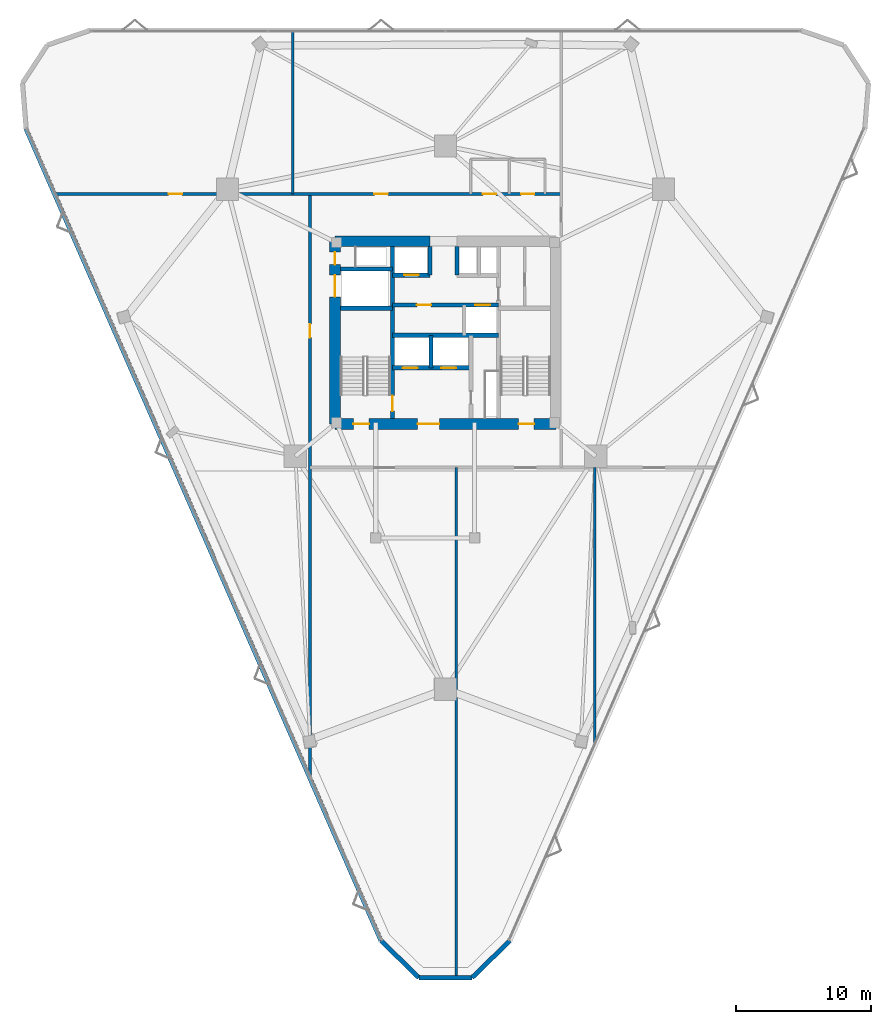
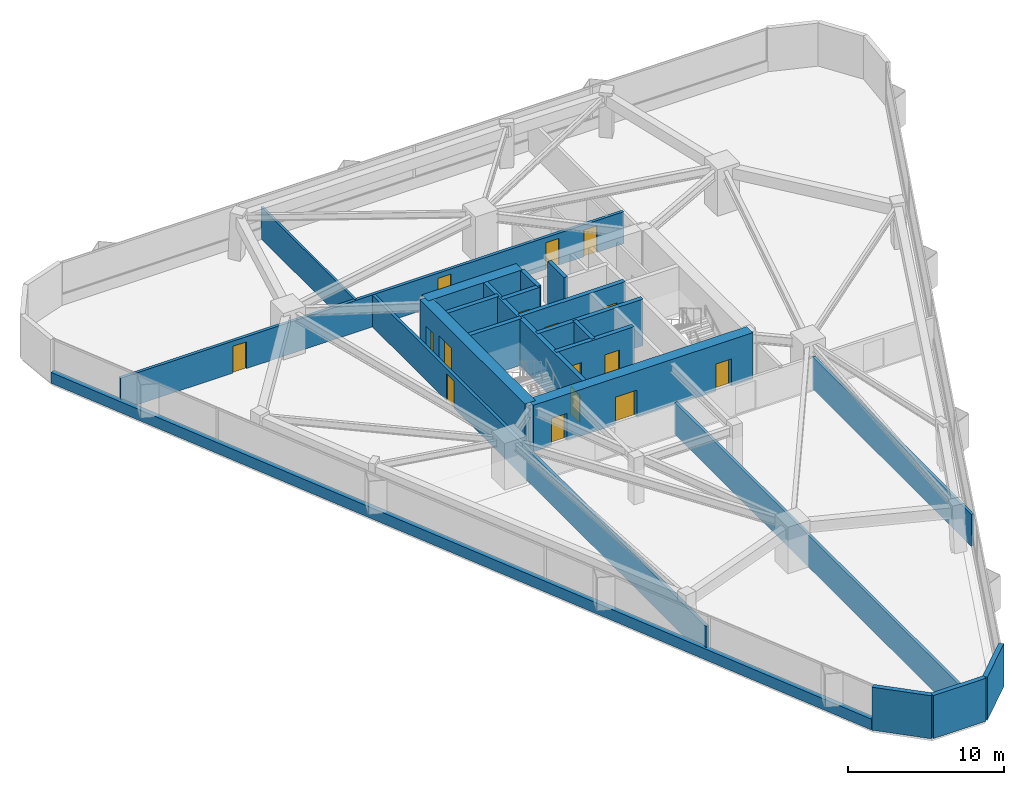
# One storey, part 14 of 18: 22 walls, 16 doors, 16 openings.
"""IFC4 building model written with IfcOpenShell, lengths in metres."""

from ifc_helpers import new_model, si_unit, direction, frame, frame_2d, origin, place, context, subcontext, project, spatial, rectangle, extrude, material, layer, layer_set, type_object, element, fill, save


model = new_model("IFC4")

# Units and contexts
model_context = context("Model", 3, precision=1e-05, world=origin(), true_north=direction((0.0, 1.0)))
body_context = subcontext(model_context, "Body", "Model", "MODEL_VIEW")
ifc_project = project(units=[si_unit("LENGTHUNIT", "METRE"), si_unit("AREAUNIT", "SQUARE_METRE"), si_unit("VOLUMEUNIT", "CUBIC_METRE"), si_unit("PLANEANGLEUNIT", "RADIAN"), si_unit("MASSUNIT", "GRAM", prefix="KILO")], contexts=[model_context])

# Site, building, storey
site_placement = place(None, origin())
site = spatial("IfcSite", under=ifc_project, at=site_placement, CompositionType="ELEMENT")
building_placement = place(site_placement, origin())
building = spatial("IfcBuilding", under=site, at=building_placement, Name="Talyreon Biosciences Tower", CompositionType="ELEMENT")
storey_placement = place(building_placement, frame((0.0, 0.0, 89.60009765625)))
storey = spatial("IfcBuildingStorey", under=building, at=storey_placement, Name="L23", CompositionType="ELEMENT", Elevation=89.60009765625)

# Walls
ifc_material_1 = material(Name="Gypsum fireboard acoustic stud", Category="gypsum")
ifc_layer_1 = layer(ifc_material_1, 0.199951171875)
ifc_layer_set_1 = layer_set([ifc_layer_1], Name="Gypsum fireboard acoustic stud")
wall_type_1 = type_object("IfcWallType", Name="ChemControlPartition_200", PredefinedType="PARTITIONING", material=ifc_layer_set_1)
wall_1_placement = place(storey_placement, frame((66.800048828125, 20.4423828125, 0.0), z_axis=(0.0, 0.0, 1.0), x_axis=(0.0, 1.0, 0.0)))
element("IfcWall", 1, at=wall_1_placement, inside=storey, type_object=wall_type_1, Name="L23 Interior Wall IW-L23-SDIV1", PredefinedType="PARTITIONING", context=body_context, shape_type="SweptSolid", body=[
    extrude(rectangle(XDim=37.587646484375, YDim=0.199951171875, at=frame_2d((18.7939453125, 0.0))), origin(), (0.0, 0.0, 1.0), 2.5048828125),
])
wall_2_placement = place(storey_placement, frame((77.02294921875, 37.620361328125, 0.0), z_axis=(0.0, 0.0, 1.0), x_axis=(0.0, 1.0, 0.0)))
element("IfcWall", 2, at=wall_2_placement, inside=storey, type_object=wall_type_1, Name="L23 Interior Wall IW-L23-SDIV2", PredefinedType="PARTITIONING", context=body_context, shape_type="SweptSolid", body=[
    extrude(rectangle(XDim=20.40966796875, YDim=0.199951171875, at=frame_2d((10.204833984375, 0.0))), origin(), (0.0, 0.0, 1.0), 2.5048828125),
])
ifc_material_2 = material(Name="Concrete C50/60", Category="concrete")
ifc_layer_2 = layer(ifc_material_2, 0.280029296875)
ifc_layer_set_2 = layer_set([ifc_layer_2], Name="Concrete C50/60")
wall_type_2 = type_object("IfcWallType", Name="CoreShearWall_280", PredefinedType="SHEAR", material=ifc_layer_set_2)
wall_3_placement = place(storey_placement, frame((64.919921875, 65.39990234375, 0.0), z_axis=(0.0, 0.0, 1.0), x_axis=(0.0, 1.0, 0.0)))
element("IfcWall", 3, at=wall_3_placement, inside=storey, type_object=wall_type_2, Name="L23 Core Shaft Wall SWSHD1", PredefinedType="SHEAR", context=body_context, shape_type="SweptSolid", body=[
    extrude(rectangle(XDim=2.400146484375, YDim=0.280029296875, at=frame_2d((1.2001953125, 0.0))), origin(), (0.0, 0.0, 1.0), 3.64990234375),
])
for number, where, z_axis, x_axis, name in (
    (4, (64.85009765625, 72.25, 0.0), (0.0, 0.0, 1.0), (0.0, 1.0, 0.0), "L23 Core Shaft Wall SWTHW"),
    (5, (66.85009765625, 72.25, 0.0), (0.0, 0.0, 1.0), (0.0, 1.0, 0.0), "L23 Core Shaft Wall SWTHE"),
):
    element("IfcWall", number, at=place(storey_placement, frame(where, z_axis=z_axis, x_axis=x_axis)), inside=storey, type_object=wall_type_2, Name=name, PredefinedType="SHEAR", context=body_context, shape_type="SweptSolid", body=[
        extrude(rectangle(XDim=2.10009765625, YDim=0.280029296875, at=frame_2d((1.050048828125, 0.0))), origin(), (0.0, 0.0, 1.0), 3.64990234375),
    ])

# Wall, opening, door
ifc_layer_3 = layer(ifc_material_2, 0.320068359375)
ifc_layer_set_3 = layer_set([ifc_layer_3], Name="Concrete C50/60")
wall_type_3 = type_object("IfcWallType", Name="CoreShearWall_320", PredefinedType="SHEAR", material=ifc_layer_set_3)
wall_4_placement = place(storey_placement, frame((62.090087890625, 61.64990234375, 0.0), z_axis=(0.0, 0.0, 1.0), x_axis=(0.0, 1.0, 0.0)))
wall_4 = element("IfcWall", 6, at=wall_4_placement, inside=storey, type_object=wall_type_3, Name="L23 Core Shaft Wall SW1E", PredefinedType="SHEAR", context=body_context, shape_type="SweptSolid", body=[
    extrude(rectangle(XDim=12.7001953125, YDim=0.320068359375, at=frame_2d((6.35009765625, 0.0))), origin(), (0.0, 0.0, 1.0), 3.64990234375),
])
opening_1_placement = place(wall_4_placement, frame((0.550048828125, 0.0, 0.0)))
opening_1 = element("IfcOpeningElement", 7, at=opening_1_placement, cuts=wall_4, Name="Opening DR-L23-FF-ST1", PredefinedType="OPENING", context=body_context, shape_type="SweptSolid", body=[
    extrude(rectangle(XDim=1.14990234375, YDim=2.14990234375, at=frame_2d((0.574951171875, 1.074951171875))), frame((0.0, 0.169921875, 0.0), z_axis=(0.0, -1.0, 0.0), x_axis=(1.0, 0.0, 0.0)), (0.0, 0.0, 1.0), 0.340087890625),
])
ifc_material_3 = material(Name="Painted steel fire door", Category="steel")
door_type_1 = type_object("IfcDoorType", Name="StairShaftFireDoor_1150x2150", OperationType="NOTDEFINED", PredefinedType="DOOR", material=ifc_material_3)
door_1_placement = place(opening_1_placement, origin())
door_1 = element("IfcDoor", 8, at=door_1_placement, inside=storey, type_object=door_type_1, Name="L23 Core Door DR-L23-FF-ST1", OperationType="SINGLE_SWING_LEFT", OverallHeight=2.14990234375, OverallWidth=1.14990234375, PredefinedType="DOOR", context=body_context, shape_type="SweptSolid", body=[
    extrude(rectangle(XDim=1.14990234375, YDim=2.14990234375, at=frame_2d((0.574951171875, 1.074951171875))), frame((0.0, 0.02490234375, 0.0), z_axis=(0.0, -1.0, 0.0), x_axis=(1.0, 0.0, 0.0)), (0.0, 0.0, 1.0), 0.050048828125),
])
fill(opening_1, door_1)

# Walls
for number, where, z_axis, x_axis, name in (
    (9, (58.25, 69.81005859375, 0.0), (0.0, 0.0, 1.0), (1.0, 0.0, 0.0), "L23 Core Shaft Wall SW1N"),
    (10, (58.25, 72.699951171875, 0.0), (0.0, 0.0, 1.0), (1.0, 0.0, 0.0), "L23 Core Shaft Wall SWGLN"),
):
    element("IfcWall", number, at=place(storey_placement, frame(where, z_axis=z_axis, x_axis=x_axis)), inside=storey, type_object=wall_type_3, Name=name, PredefinedType="SHEAR", context=body_context, shape_type="SweptSolid", body=[
        extrude(rectangle(XDim=3.840087890625, YDim=0.320068359375, at=frame_2d((1.919921875, 0.0))), origin(), (0.0, 0.0, 1.0), 3.64990234375),
    ])
wall_5_placement = place(storey_placement, frame((62.090087890625, 67.800048828125, 0.0), z_axis=(0.0, 0.0, 1.0), x_axis=(1.0, 0.0, 0.0)))
element("IfcWall", 11, at=wall_5_placement, inside=storey, type_object=wall_type_3, Name="L23 Core Shaft Wall SWSHM", PredefinedType="SHEAR", context=body_context, shape_type="SweptSolid", body=[
    extrude(rectangle(XDim=7.81982421875, YDim=0.320068359375, at=frame_2d((3.909912109375, 0.0))), origin(), (0.0, 0.0, 1.0), 3.64990234375),
])

# Wall, openings, doors
wall_6_placement = place(storey_placement, frame((62.090087890625, 70.050048828125, 0.0), z_axis=(0.0, 0.0, 1.0), x_axis=(1.0, 0.0, 0.0)))
wall_6 = element("IfcWall", 12, at=wall_6_placement, inside=storey, type_object=wall_type_3, Name="L23 Core Shaft Wall SWSPN", PredefinedType="SHEAR", context=body_context, shape_type="SweptSolid", body=[
    extrude(rectangle(XDim=7.81982421875, YDim=0.320068359375, at=frame_2d((3.909912109375, 0.0))), origin(), (0.0, 0.0, 1.0), 3.64990234375),
])
opening_2_placement = place(wall_6_placement, frame((1.800048828125, 0.0, 0.0)))
opening_2 = element("IfcOpeningElement", 13, at=opening_2_placement, cuts=wall_6, Name="Opening DR-L23-PLFREE-A", PredefinedType="OPENING", context=body_context, shape_type="SweptSolid", body=[
    extrude(rectangle(XDim=1.050048828125, YDim=2.14990234375, at=frame_2d((0.52490234375, 1.074951171875))), frame((0.0, 0.169921875, 0.0), z_axis=(0.0, -1.0, 0.0), x_axis=(1.0, 0.0, 0.0)), (0.0, 0.0, 1.0), 0.340087890625),
])
opening_3_placement = place(wall_6_placement, frame((6.10009765625, 0.0, 0.0)))
opening_3 = element("IfcOpeningElement", 14, at=opening_3_placement, cuts=wall_6, Name="Opening LD-L23-PM1", PredefinedType="OPENING", context=body_context, shape_type="SweptSolid", body=[
    extrude(rectangle(XDim=1.10009765625, YDim=2.199951171875, at=frame_2d((0.550048828125, 1.10009765625))), frame((0.0, 0.169921875, 0.0), z_axis=(0.0, -1.0, 0.0), x_axis=(1.0, 0.0, 0.0)), (0.0, 0.0, 1.0), 0.340087890625),
])
ifc_material_4 = material(Name="Acoustic timber-core laboratory door", Category="wood")
door_type_2 = type_object("IfcDoorType", Name="DryLabSingleDoor_1050x2150", OperationType="NOTDEFINED", PredefinedType="DOOR", material=ifc_material_4)
door_2_placement = place(opening_2_placement, origin())
door_2 = element("IfcDoor", 15, at=door_2_placement, inside=storey, type_object=door_type_2, Name="L23 Core Door DR-L23-PLFREE-A", OperationType="SINGLE_SWING_LEFT", OverallHeight=2.14990234375, OverallWidth=1.050048828125, PredefinedType="DOOR", context=body_context, shape_type="SweptSolid", body=[
    extrude(rectangle(XDim=1.050048828125, YDim=2.14990234375, at=frame_2d((0.52490234375, 1.074951171875))), frame((0.0, 0.02490234375, 0.0), z_axis=(0.0, -1.0, 0.0), x_axis=(1.0, 0.0, 0.0)), (0.0, 0.0, 1.0), 0.050048828125),
])
fill(opening_2, door_2)
ifc_material_5 = material(Name="Brushed stainless-steel lift landing door", Category="steel")
door_type_3 = type_object("IfcDoorType", Name="LiftSlidingLandingDoor_1100x2200", OperationType="SLIDING_TO_LEFT", PredefinedType="DOOR", material=ifc_material_5)
door_3_placement = place(opening_3_placement, origin())
door_3 = element("IfcDoor", 16, at=door_3_placement, inside=storey, type_object=door_type_3, Name="L23 Core Door LD-L23-PM1", OperationType="SLIDING_TO_LEFT", OverallHeight=2.199951171875, OverallWidth=1.10009765625, PredefinedType="DOOR", context=body_context, shape_type="SweptSolid", body=[
    extrude(rectangle(XDim=1.10009765625, YDim=2.199951171875, at=frame_2d((0.550048828125, 1.10009765625))), frame((0.0, 0.02490234375, 0.0), z_axis=(0.0, -1.0, 0.0), x_axis=(1.0, 0.0, 0.0)), (0.0, 0.0, 1.0), 0.050048828125),
])
fill(opening_3, door_3)

# Wall, opening, door
wall_7_placement = place(storey_placement, frame((62.090087890625, 72.25, 0.0), z_axis=(0.0, 0.0, 1.0), x_axis=(1.0, 0.0, 0.0)))
wall_7 = element("IfcWall", 17, at=wall_7_placement, inside=storey, type_object=wall_type_3, Name="L23 Core Shaft Wall SWNPW", PredefinedType="SHEAR", context=body_context, shape_type="SweptSolid", body=[
    extrude(rectangle(XDim=2.760009765625, YDim=0.320068359375, at=frame_2d((1.3798828125, 0.0))), origin(), (0.0, 0.0, 1.0), 3.64990234375),
])
opening_4_placement = place(wall_7_placement, frame((0.85009765625, 0.0, 0.0)))
opening_4 = element("IfcOpeningElement", 18, at=opening_4_placement, cuts=wall_7, Name="Opening LD-L23-PM2", PredefinedType="OPENING", context=body_context, shape_type="SweptSolid", body=[
    extrude(rectangle(XDim=1.10009765625, YDim=2.199951171875, at=frame_2d((0.550048828125, 1.10009765625))), frame((0.0, 0.169921875, 0.0), z_axis=(0.0, -1.0, 0.0), x_axis=(1.0, 0.0, 0.0)), (0.0, 0.0, 1.0), 0.340087890625),
])
door_4_placement = place(opening_4_placement, origin())
door_4 = element("IfcDoor", 19, at=door_4_placement, inside=storey, type_object=door_type_3, Name="L23 Core Door LD-L23-PM2", OperationType="SLIDING_TO_LEFT", OverallHeight=2.199951171875, OverallWidth=1.10009765625, PredefinedType="DOOR", context=body_context, shape_type="SweptSolid", body=[
    extrude(rectangle(XDim=1.10009765625, YDim=2.199951171875, at=frame_2d((0.550048828125, 1.10009765625))), frame((0.0, 0.02490234375, 0.0), z_axis=(0.0, -1.0, 0.0), x_axis=(1.0, 0.0, 0.0)), (0.0, 0.0, 1.0), 0.050048828125),
])
fill(opening_4, door_4)

# Wall, openings, doors
wall_8_placement = place(storey_placement, frame((62.090087890625, 65.39990234375, 0.0), z_axis=(0.0, 0.0, 1.0), x_axis=(1.0, 0.0, 0.0)))
wall_8 = element("IfcWall", 20, at=wall_8_placement, inside=storey, type_object=wall_type_3, Name="L23 Core Shaft Wall SWFFN", PredefinedType="SHEAR", context=body_context, shape_type="SweptSolid", body=[
    extrude(rectangle(XDim=5.789794921875, YDim=0.320068359375, at=frame_2d((2.89501953125, 0.0))), origin(), (0.0, 0.0, 1.0), 3.64990234375),
])
opening_5_placement = place(wall_8_placement, frame((0.75, 0.0, 0.0)))
opening_5 = element("IfcOpeningElement", 21, at=opening_5_placement, cuts=wall_8, Name="Opening LD-L23-FL1", PredefinedType="OPENING", context=body_context, shape_type="SweptSolid", body=[
    extrude(rectangle(XDim=1.10009765625, YDim=2.199951171875, at=frame_2d((0.550048828125, 1.10009765625))), frame((0.0, 0.169921875, 0.0), z_axis=(0.0, -1.0, 0.0), x_axis=(1.0, 0.0, 0.0)), (0.0, 0.0, 1.0), 0.340087890625),
])
opening_6_placement = place(wall_8_placement, frame((3.60009765625, 0.0, 0.0)))
opening_6 = element("IfcOpeningElement", 22, at=opening_6_placement, cuts=wall_8, Name="Opening LD-L23-FL2", PredefinedType="OPENING", context=body_context, shape_type="SweptSolid", body=[
    extrude(rectangle(XDim=1.10009765625, YDim=2.199951171875, at=frame_2d((0.550048828125, 1.10009765625))), frame((0.0, 0.169921875, 0.0), z_axis=(0.0, -1.0, 0.0), x_axis=(1.0, 0.0, 0.0)), (0.0, 0.0, 1.0), 0.340087890625),
])
door_5_placement = place(opening_5_placement, origin())
door_5 = element("IfcDoor", 23, at=door_5_placement, inside=storey, type_object=door_type_3, Name="L23 Core Door LD-L23-FL1", OperationType="SLIDING_TO_LEFT", OverallHeight=2.199951171875, OverallWidth=1.10009765625, PredefinedType="DOOR", context=body_context, shape_type="SweptSolid", body=[
    extrude(rectangle(XDim=1.10009765625, YDim=2.199951171875, at=frame_2d((0.550048828125, 1.10009765625))), frame((0.0, 0.02490234375, 0.0), z_axis=(0.0, -1.0, 0.0), x_axis=(1.0, 0.0, 0.0)), (0.0, 0.0, 1.0), 0.050048828125),
])
fill(opening_5, door_5)
door_6_placement = place(opening_6_placement, origin())
door_6 = element("IfcDoor", 24, at=door_6_placement, inside=storey, type_object=door_type_3, Name="L23 Core Door LD-L23-FL2", OperationType="SLIDING_TO_LEFT", OverallHeight=2.199951171875, OverallWidth=1.10009765625, PredefinedType="DOOR", context=body_context, shape_type="SweptSolid", body=[
    extrude(rectangle(XDim=1.10009765625, YDim=2.199951171875, at=frame_2d((0.550048828125, 1.10009765625))), frame((0.0, 0.02490234375, 0.0), z_axis=(0.0, -1.0, 0.0), x_axis=(1.0, 0.0, 0.0)), (0.0, 0.0, 1.0), 0.050048828125),
])
fill(opening_6, door_6)

ifc_material_6 = material(Name="Concrete C60/75", Category="concrete")
ifc_layer_4 = layer(ifc_material_6, 0.800048828125)
ifc_layer_set_4 = layer_set([ifc_layer_4], Name="Concrete C60/75")
wall_type_4 = type_object("IfcWallType", Name="CoreShearWall_800", PredefinedType="SHEAR", material=ifc_layer_set_4)
wall_9_placement = place(storey_placement, frame((57.85009765625, 61.25, 0.0), z_axis=(0.0, 0.0, 1.0), x_axis=(1.0, 0.0, 0.0)))
wall_9 = element("IfcWall", 25, at=wall_9_placement, inside=storey, type_object=wall_type_4, Name="L23 Core Shear Wall S", PredefinedType="SHEAR", context=body_context, shape_type="SweptSolid", body=[
    extrude(rectangle(XDim=16.2998046875, YDim=0.800048828125, at=frame_2d((8.14990234375, 0.0))), origin(), (0.0, 0.0, 1.0), 3.64990234375),
])
opening_7_placement = place(wall_9_placement, frame((1.35009765625, 0.0, 0.0)))
opening_7 = element("IfcOpeningElement", 26, at=opening_7_placement, cuts=wall_9, Name="Opening DR-L23-ST1", PredefinedType="OPENING", context=body_context, shape_type="SweptSolid", body=[
    extrude(rectangle(XDim=1.14990234375, YDim=2.14990234375, at=frame_2d((0.574951171875, 1.074951171875))), frame((0.0, 0.409912109375, 0.0), z_axis=(0.0, -1.0, 0.0), x_axis=(1.0, 0.0, 0.0)), (0.0, 0.0, 1.0), 0.820068359375),
])
opening_8_placement = place(wall_9_placement, frame((6.10009765625, 0.0, 0.0)))
opening_8 = element("IfcOpeningElement", 27, at=opening_8_placement, cuts=wall_9, Name="Opening DR-L23-FFL", PredefinedType="OPENING", context=body_context, shape_type="SweptSolid", body=[
    extrude(rectangle(XDim=1.60009765625, YDim=2.14990234375, at=frame_2d((0.800048828125, 1.074951171875))), frame((0.0, 0.409912109375, 0.0), z_axis=(0.0, -1.0, 0.0), x_axis=(1.0, 0.0, 0.0)), (0.0, 0.0, 1.0), 0.820068359375),
])
opening_9_placement = place(wall_9_placement, frame((13.550048828125, 0.0, 0.0)))
opening_9 = element("IfcOpeningElement", 28, at=opening_9_placement, cuts=wall_9, Name="Opening DR-L23-ST2", PredefinedType="OPENING", context=body_context, shape_type="SweptSolid", body=[
    extrude(rectangle(XDim=1.14990234375, YDim=2.14990234375, at=frame_2d((0.574951171875, 1.074951171875))), frame((0.0, 0.409912109375, 0.0), z_axis=(0.0, -1.0, 0.0), x_axis=(1.0, 0.0, 0.0)), (0.0, 0.0, 1.0), 0.820068359375),
])
ifc_material_7 = material(Name="Painted steel smoke-seal fire door", Category="steel")
door_type_4 = type_object("IfcDoorType", Name="FirefightingLobbyDoubleDoor_1600x2150", OperationType="DOUBLE_DOOR_SINGLE_SWING", PredefinedType="DOOR", material=ifc_material_7)
door_7_placement = place(opening_8_placement, origin())
door_7 = element("IfcDoor", 29, at=door_7_placement, inside=storey, type_object=door_type_4, Name="L23 Core Door DR-L23-FFL", OperationType="DOUBLE_DOOR_SINGLE_SWING", OverallHeight=2.14990234375, OverallWidth=1.60009765625, PredefinedType="DOOR", context=body_context, shape_type="SweptSolid", body=[
    extrude(rectangle(XDim=1.60009765625, YDim=2.14990234375, at=frame_2d((0.800048828125, 1.074951171875))), frame((0.0, 0.02490234375, 0.0), z_axis=(0.0, -1.0, 0.0), x_axis=(1.0, 0.0, 0.0)), (0.0, 0.0, 1.0), 0.050048828125),
])
fill(opening_8, door_7)
door_8_placement = place(opening_7_placement, origin())
door_8 = element("IfcDoor", 30, at=door_8_placement, inside=storey, type_object=door_type_1, Name="L23 Core Door DR-L23-ST1", OperationType="SINGLE_SWING_LEFT", OverallHeight=2.14990234375, OverallWidth=1.14990234375, PredefinedType="DOOR", context=body_context, shape_type="SweptSolid", body=[
    extrude(rectangle(XDim=1.14990234375, YDim=2.14990234375, at=frame_2d((0.574951171875, 1.074951171875))), frame((0.0, 0.02490234375, 0.0), z_axis=(0.0, -1.0, 0.0), x_axis=(1.0, 0.0, 0.0)), (0.0, 0.0, 1.0), 0.050048828125),
])
fill(opening_7, door_8)
door_9_placement = place(opening_9_placement, origin())
door_9 = element("IfcDoor", 31, at=door_9_placement, inside=storey, type_object=door_type_1, Name="L23 Core Door DR-L23-ST2", OperationType="SINGLE_SWING_RIGHT", OverallHeight=2.14990234375, OverallWidth=1.14990234375, PredefinedType="DOOR", context=body_context, shape_type="SweptSolid", body=[
    extrude(rectangle(XDim=1.14990234375, YDim=2.14990234375, at=frame_2d((0.574951171875, 1.074951171875))), frame((0.0, 0.02490234375, 0.0), z_axis=(0.0, -1.0, 0.0), x_axis=(1.0, 0.0, 0.0)), (0.0, 0.0, 1.0), 0.050048828125),
])
fill(opening_9, door_9)

# Wall
wall_10_placement = place(storey_placement, frame((64.85009765625, 74.75, 0.0), z_axis=(0.0, 0.0, 1.0), x_axis=(-1.0, 0.0, 0.0)))
element("IfcWall", 32, at=wall_10_placement, inside=storey, type_object=wall_type_4, Name="L23 Core Shear Wall NW", PredefinedType="SHEAR", context=body_context, shape_type="SweptSolid", body=[
    extrude(rectangle(XDim=7.0, YDim=0.800048828125, at=frame_2d((3.5, 0.0))), origin(), (0.0, 0.0, 1.0), 3.64990234375),
])

# Wall, openings, doors
wall_11_placement = place(storey_placement, frame((57.85009765625, 74.75, 0.0), z_axis=(0.0, 0.0, 1.0), x_axis=(0.0, -1.0, 0.0)))
wall_11 = element("IfcWall", 33, at=wall_11_placement, inside=storey, type_object=wall_type_4, Name="L23 Core Shear Wall W", PredefinedType="SHEAR", context=body_context, shape_type="SweptSolid", body=[
    extrude(rectangle(XDim=13.5, YDim=0.800048828125, at=frame_2d((6.75, 0.0))), origin(), (0.0, 0.0, 1.0), 3.64990234375),
])
opening_10_placement = place(wall_11_placement, frame((0.800048828125, 0.0, 0.0)))
opening_10 = element("IfcOpeningElement", 34, at=opening_10_placement, cuts=wall_11, Name="Opening DR-L23-RSW", PredefinedType="OPENING", context=body_context, shape_type="SweptSolid", body=[
    extrude(rectangle(XDim=0.919921875, YDim=2.050048828125, at=frame_2d((0.4599609375, 1.02490234375))), frame((0.0, 0.409912109375, 0.0), z_axis=(0.0, -1.0, 0.0), x_axis=(1.0, 0.0, 0.0)), (0.0, 0.0, 1.0), 0.820068359375),
])
opening_11_placement = place(wall_11_placement, frame((2.5, 0.0, 0.0)))
opening_11 = element("IfcOpeningElement", 35, at=opening_11_placement, cuts=wall_11, Name="Opening LD-L23-GL1", PredefinedType="OPENING", context=body_context, shape_type="SweptSolid", body=[
    extrude(rectangle(XDim=1.60009765625, YDim=2.300048828125, at=frame_2d((0.800048828125, 1.14990234375))), frame((0.0, 0.409912109375, 0.0), z_axis=(0.0, -1.0, 0.0), x_axis=(1.0, 0.0, 0.0)), (0.0, 0.0, 1.0), 0.820068359375),
])
ifc_material_8 = material(Name="Heavy-duty stainless-steel goods lift door", Category="steel")
door_type_5 = type_object("IfcDoorType", Name="GoodsLiftSlidingDoor_1600x2300", OperationType="DOUBLE_DOOR_SLIDING", PredefinedType="DOOR", material=ifc_material_8)
door_10_placement = place(opening_11_placement, origin())
door_10 = element("IfcDoor", 36, at=door_10_placement, inside=storey, type_object=door_type_5, Name="L23 Core Door LD-L23-GL1", OperationType="DOUBLE_DOOR_SLIDING", OverallHeight=2.300048828125, OverallWidth=1.60009765625, PredefinedType="DOOR", context=body_context, shape_type="SweptSolid", body=[
    extrude(rectangle(XDim=1.60009765625, YDim=2.300048828125, at=frame_2d((0.800048828125, 1.14990234375))), frame((0.0, 0.02490234375, 0.0), z_axis=(0.0, -1.0, 0.0), x_axis=(1.0, 0.0, 0.0)), (0.0, 0.0, 1.0), 0.050048828125),
])
fill(opening_11, door_10)
ifc_material_9 = material(Name="Painted steel fire-rated riser door", Category="steel")
door_type_6 = type_object("IfcDoorType", Name="RiserPlantAccessDoor_920x2050", OperationType="NOTDEFINED", PredefinedType="DOOR", material=ifc_material_9)
door_11_placement = place(opening_10_placement, origin())
door_11 = element("IfcDoor", 37, at=door_11_placement, inside=storey, type_object=door_type_6, Name="L23 Core Door DR-L23-RSW", OperationType="SINGLE_SWING_LEFT", OverallHeight=2.050048828125, OverallWidth=0.919921875, PredefinedType="DOOR", context=body_context, shape_type="SweptSolid", body=[
    extrude(rectangle(XDim=0.919921875, YDim=2.050048828125, at=frame_2d((0.4599609375, 1.02490234375))), frame((0.0, 0.02490234375, 0.0), z_axis=(0.0, -1.0, 0.0), x_axis=(1.0, 0.0, 0.0)), (0.0, 0.0, 1.0), 0.050048828125),
])
fill(opening_10, door_11)

ifc_layer_5 = layer(ifc_material_1, 0.219970703125)
ifc_layer_set_5 = layer_set([ifc_layer_5], Name="Gypsum fireboard acoustic stud")
wall_type_5 = type_object("IfcWallType", Name="CorridorRatedPartition_220", PredefinedType="PARTITIONING", material=ifc_layer_set_5)
wall_12_placement = place(storey_placement, frame((37.216064453125, 78.25, 0.0), z_axis=(0.0, 0.0, 1.0), x_axis=(1.0, 0.0, 0.0)))
wall_12 = element("IfcWall", 38, at=wall_12_placement, inside=storey, type_object=wall_type_5, Name="L23 Interior Wall IW-L23-COR-N", PredefinedType="PARTITIONING", context=body_context, shape_type="SweptSolid", body=[
    extrude(rectangle(XDim=37.333984375, YDim=0.219970703125, at=frame_2d((18.6669921875, 0.0))), origin(), (0.0, 0.0, 1.0), 2.5048828125),
])
opening_12_placement = place(wall_12_placement, frame((31.5439453125, 0.0, 0.0)))
opening_12 = element("IfcOpeningElement", 39, at=opening_12_placement, cuts=wall_12, Name="Opening DR-L23-WC", PredefinedType="OPENING", context=body_context, shape_type="SweptSolid", body=[
    extrude(rectangle(XDim=0.97998046875, YDim=2.10009765625, at=frame_2d((0.489990234375, 1.050048828125))), frame((0.0, 0.119873046875, 0.0), z_axis=(0.0, -1.0, 0.0), x_axis=(1.0, 0.0, 0.0)), (0.0, 0.0, 1.0), 0.239990234375),
])
opening_13_placement = place(wall_12_placement, frame((34.368896484375, 0.0, 0.0)))
opening_13 = element("IfcOpeningElement", 40, at=opening_13_placement, cuts=wall_12, Name="Opening DR-L23-AWC", PredefinedType="OPENING", context=body_context, shape_type="SweptSolid", body=[
    extrude(rectangle(XDim=0.97998046875, YDim=2.10009765625, at=frame_2d((0.489990234375, 1.050048828125))), frame((0.0, 0.119873046875, 0.0), z_axis=(0.0, -1.0, 0.0), x_axis=(1.0, 0.0, 0.0)), (0.0, 0.0, 1.0), 0.239990234375),
])
opening_14_placement = place(wall_12_placement, frame((8.324951171875, 0.0, 0.0)))
opening_14 = element("IfcOpeningElement", 41, at=opening_14_placement, cuts=wall_12, Name="Opening DR-L23-N1A", PredefinedType="OPENING", context=body_context, shape_type="SweptSolid", body=[
    extrude(rectangle(XDim=1.0, YDim=2.10009765625, at=frame_2d((0.5, 1.050048828125))), frame((0.0, 0.119873046875, 0.0), z_axis=(0.0, -1.0, 0.0), x_axis=(1.0, 0.0, 0.0)), (0.0, 0.0, 1.0), 0.239990234375),
])
opening_15_placement = place(wall_12_placement, frame((23.527099609375, 0.0, 0.0)))
opening_15 = element("IfcOpeningElement", 42, at=opening_15_placement, cuts=wall_12, Name="Opening DR-L23-N2A", PredefinedType="OPENING", context=body_context, shape_type="SweptSolid", body=[
    extrude(rectangle(XDim=1.0, YDim=2.10009765625, at=frame_2d((0.5, 1.050048828125))), frame((0.0, 0.119873046875, 0.0), z_axis=(0.0, -1.0, 0.0), x_axis=(1.0, 0.0, 0.0)), (0.0, 0.0, 1.0), 0.239990234375),
])
ifc_material_10 = material(Name="Laminate moisture-resistant door", Category="wood")
door_type_7 = type_object("IfcDoorType", Name="AccessibleToiletDoor_980x2100", OperationType="NOTDEFINED", PredefinedType="DOOR", material=ifc_material_10)
door_12_placement = place(opening_12_placement, origin())
door_12 = element("IfcDoor", 43, at=door_12_placement, inside=storey, type_object=door_type_7, Name="L23 Interior Door DR-L23-WC", OperationType="SINGLE_SWING_RIGHT", OverallHeight=2.10009765625, OverallWidth=0.97998046875, PredefinedType="DOOR", context=body_context, shape_type="SweptSolid", body=[
    extrude(rectangle(XDim=0.97998046875, YDim=2.10009765625, at=frame_2d((0.489990234375, 1.050048828125))), frame((0.0, 0.02490234375, 0.0), z_axis=(0.0, -1.0, 0.0), x_axis=(1.0, 0.0, 0.0)), (0.0, 0.0, 1.0), 0.050048828125),
])
fill(opening_12, door_12)
door_13_placement = place(opening_13_placement, origin())
door_13 = element("IfcDoor", 44, at=door_13_placement, inside=storey, type_object=door_type_7, Name="L23 Interior Door DR-L23-AWC", OperationType="SINGLE_SWING_RIGHT", OverallHeight=2.10009765625, OverallWidth=0.97998046875, PredefinedType="DOOR", context=body_context, shape_type="SweptSolid", body=[
    extrude(rectangle(XDim=0.97998046875, YDim=2.10009765625, at=frame_2d((0.489990234375, 1.050048828125))), frame((0.0, 0.02490234375, 0.0), z_axis=(0.0, -1.0, 0.0), x_axis=(1.0, 0.0, 0.0)), (0.0, 0.0, 1.0), 0.050048828125),
])
fill(opening_13, door_13)
ifc_material_11 = material(Name="Acoustic oak veneer office door", Category="wood")
door_type_8 = type_object("IfcDoorType", Name="WriteupOfficeDoor_1000x2100", OperationType="NOTDEFINED", PredefinedType="DOOR", material=ifc_material_11)
door_14_placement = place(opening_14_placement, origin())
door_14 = element("IfcDoor", 45, at=door_14_placement, inside=storey, type_object=door_type_8, Name="L23 Interior Door DR-L23-N1A", OperationType="SINGLE_SWING_RIGHT", OverallHeight=2.10009765625, OverallWidth=1.0, PredefinedType="DOOR", context=body_context, shape_type="SweptSolid", body=[
    extrude(rectangle(XDim=1.0, YDim=2.10009765625, at=frame_2d((0.5, 1.050048828125))), frame((0.0, 0.02490234375, 0.0), z_axis=(0.0, -1.0, 0.0), x_axis=(1.0, 0.0, 0.0)), (0.0, 0.0, 1.0), 0.050048828125),
])
fill(opening_14, door_14)
door_15_placement = place(opening_15_placement, origin())
door_15 = element("IfcDoor", 46, at=door_15_placement, inside=storey, type_object=door_type_8, Name="L23 Interior Door DR-L23-N2A", OperationType="SINGLE_SWING_RIGHT", OverallHeight=2.10009765625, OverallWidth=1.0, PredefinedType="DOOR", context=body_context, shape_type="SweptSolid", body=[
    extrude(rectangle(XDim=1.0, YDim=2.10009765625, at=frame_2d((0.5, 1.050048828125))), frame((0.0, 0.02490234375, 0.0), z_axis=(0.0, -1.0, 0.0), x_axis=(1.0, 0.0, 0.0)), (0.0, 0.0, 1.0), 0.050048828125),
])
fill(opening_15, door_15)

# Wall, opening, door
wall_13_placement = place(storey_placement, frame((56.0, 35.2802734375, 0.0), z_axis=(0.0, 0.0, 1.0), x_axis=(0.0, 1.0, 0.0)))
wall_13 = element("IfcWall", 47, at=wall_13_placement, inside=storey, type_object=wall_type_5, Name="L23 Interior Wall IW-L23-COR-W", PredefinedType="PARTITIONING", context=body_context, shape_type="SweptSolid", body=[
    extrude(rectangle(XDim=42.9697265625, YDim=0.219970703125, at=frame_2d((21.48486328125, 0.0))), origin(), (0.0, 0.0, 1.0), 2.5048828125),
])
opening_16_placement = place(wall_13_placement, frame((32.360107421875, 0.0, 0.0)))
opening_16 = element("IfcOpeningElement", 48, at=opening_16_placement, cuts=wall_13, Name="Opening DR-L23-W1A", PredefinedType="OPENING", context=body_context, shape_type="SweptSolid", body=[
    extrude(rectangle(XDim=1.0, YDim=2.10009765625, at=frame_2d((0.5, 1.050048828125))), frame((0.0, 0.119873046875, 0.0), z_axis=(0.0, -1.0, 0.0), x_axis=(1.0, 0.0, 0.0)), (0.0, 0.0, 1.0), 0.239990234375),
])
door_16_placement = place(opening_16_placement, origin())
door_16 = element("IfcDoor", 49, at=door_16_placement, inside=storey, type_object=door_type_8, Name="L23 Interior Door DR-L23-W1A", OperationType="SINGLE_SWING_RIGHT", OverallHeight=2.10009765625, OverallWidth=1.0, PredefinedType="DOOR", context=body_context, shape_type="SweptSolid", body=[
    extrude(rectangle(XDim=1.0, YDim=2.10009765625, at=frame_2d((0.5, 1.050048828125))), frame((0.0, 0.02490234375, 0.0), z_axis=(0.0, -1.0, 0.0), x_axis=(1.0, 0.0, 0.0)), (0.0, 0.0, 1.0), 0.050048828125),
])
fill(opening_16, door_16)

# Walls
ifc_material_12 = material(Name="Gypsum acoustic stud partition", Category="gypsum")
ifc_layer_6 = layer(ifc_material_12, 0.159912109375)
ifc_layer_set_6 = layer_set([ifc_layer_6], Name="Gypsum acoustic stud partition")
wall_type_6 = type_object("IfcWallType", Name="LabSeparationPartition_160", PredefinedType="PARTITIONING", material=ifc_layer_set_6)
wall_14_placement = place(storey_placement, frame((54.717041015625, 78.25, 0.0), z_axis=(0.0, 0.0, 1.0), x_axis=(0.0, 1.0, 0.0)))
element("IfcWall", 50, at=wall_14_placement, inside=storey, type_object=wall_type_6, Name="L23 Interior Wall IW-L23-NDIV1", PredefinedType="PARTITIONING", context=body_context, shape_type="SweptSolid", body=[
    extrude(rectangle(XDim=12.0185546875, YDim=0.159912109375, at=frame_2d((6.00927734375, 0.0))), origin(), (0.0, 0.0, 1.0), 2.5048828125),
])
ifc_material_13 = material(Name="Precast concrete C45/55", Category="concrete")
ifc_layer_7 = layer(ifc_material_13, 0.340087890625)
ifc_layer_set_7 = layer_set([ifc_layer_7], Name="Precast concrete C45/55")
wall_type_7 = type_object("IfcWallType", Name="PrecastConcreteSpandrelWall_340", PredefinedType="STANDARD", material=ifc_layer_set_7)
wall_15_placement = place(storey_placement, frame((61.2353515625, 23.091552734375, 0.0), z_axis=(0.0, 0.0, 1.0), x_axis=(-0.400542161224, 0.916278329484, 0.0)))
element("IfcWall", 51, at=wall_15_placement, inside=storey, type_object=wall_type_7, Name="L23 Expressed Concrete Sill Wall 00", PredefinedType="STANDARD", context=body_context, shape_type="SweptSolid", body=[
    extrude(rectangle(XDim=65.45947265625, YDim=0.340087890625, at=frame_2d((32.729736328125, 0.0))), origin(), (0.0, 0.0, 1.0), 0.849853515625),
])
wall_16_placement = place(storey_placement, frame((70.7646484375, 23.091552734375, 0.0), z_axis=(0.0, 0.0, 1.0), x_axis=(-0.716208023847, -0.697886858006, 0.0)))
element("IfcWall", 52, at=wall_16_placement, inside=storey, type_object=wall_type_7, Name="L23 Rounded-Corner Concrete Pier 09", PredefinedType="STANDARD", context=body_context, shape_type="SweptSolid", body=[
    extrude(rectangle(XDim=3.917724609375, YDim=0.340087890625, at=frame_2d((1.958984375, 0.0))), origin(), (0.0, 0.0, 1.0), 3.375),
])
wall_17_placement = place(storey_placement, frame((67.958740234375, 20.357421875, 0.0), z_axis=(0.0, 0.0, 1.0), x_axis=(-1.0, 0.0, 0.0)))
element("IfcWall", 53, at=wall_17_placement, inside=storey, type_object=wall_type_7, Name="L23 Rounded-Corner Concrete Pier 10", PredefinedType="STANDARD", context=body_context, shape_type="SweptSolid", body=[
    extrude(rectangle(XDim=3.91748046875, YDim=0.340087890625, at=frame_2d((1.958740234375, 0.0))), origin(), (0.0, 0.0, 1.0), 3.375),
])
wall_18_placement = place(storey_placement, frame((64.041259765625, 20.357421875, 0.0), z_axis=(0.0, 0.0, 1.0), x_axis=(-0.716208023847, 0.697886858006, 0.0)))
element("IfcWall", 54, at=wall_18_placement, inside=storey, type_object=wall_type_7, Name="L23 Rounded-Corner Concrete Pier 11", PredefinedType="STANDARD", context=body_context, shape_type="SweptSolid", body=[
    extrude(rectangle(XDim=3.917724609375, YDim=0.340087890625, at=frame_2d((1.958984375, 0.0))), origin(), (0.0, 0.0, 1.0), 3.375),
])

save(model, "model.ifc")
